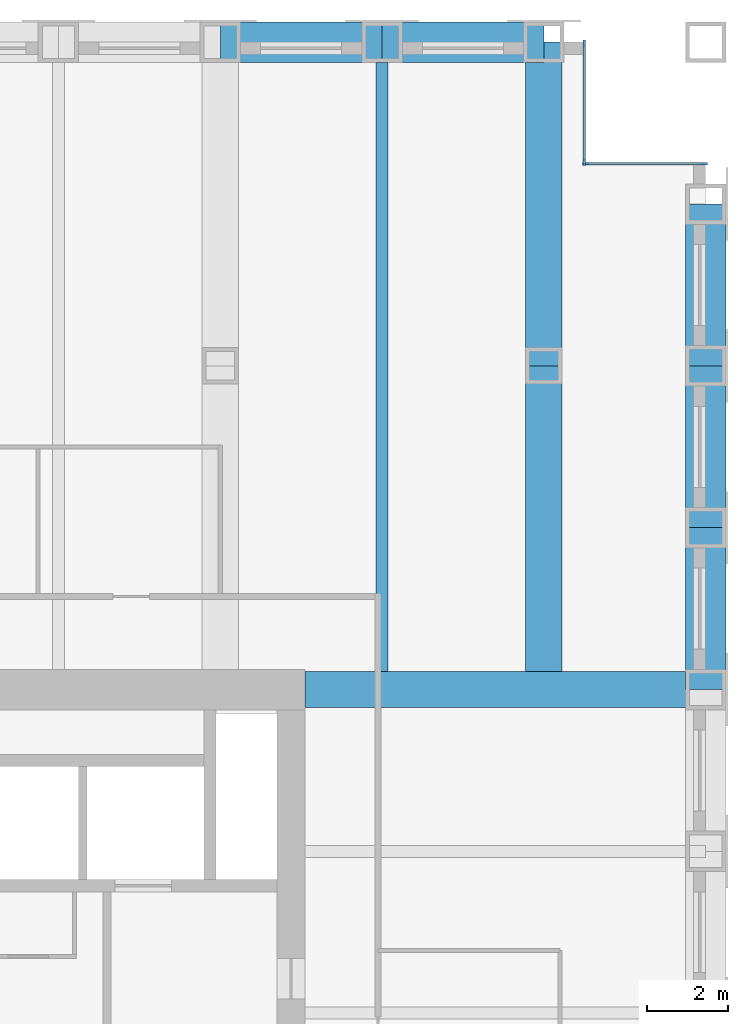
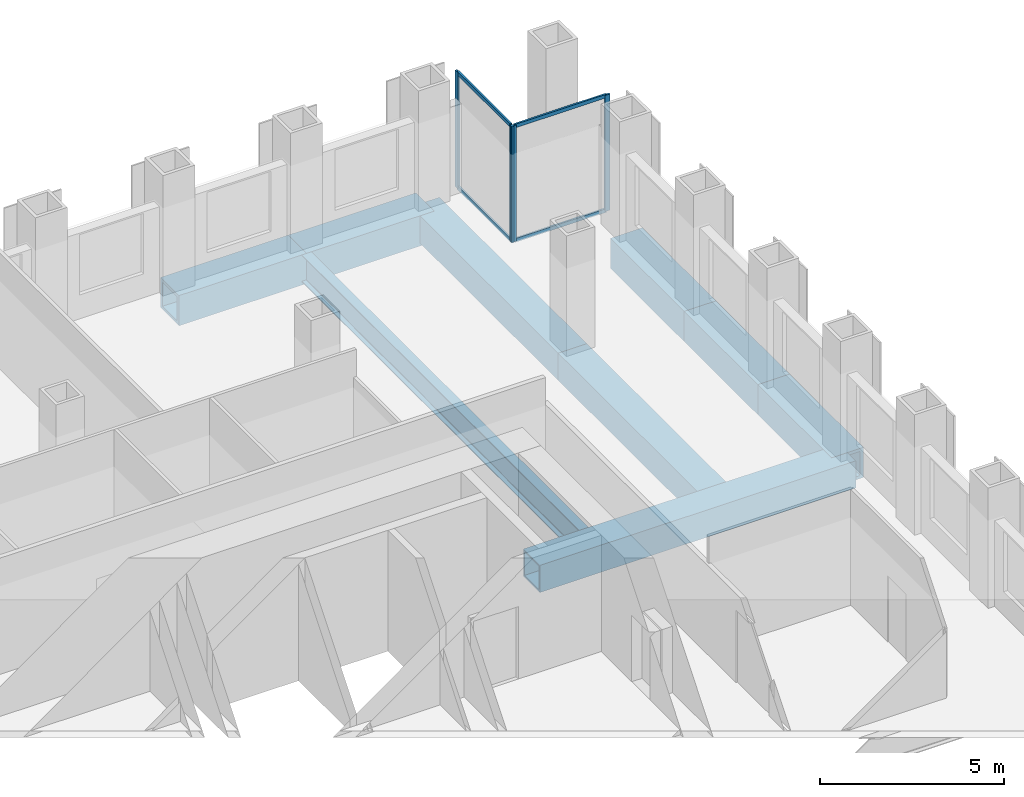
# One storey, part 6 of 12: 9 beams, 8 members, 2 elements without a shape of their own.
"""IFC4 building model written with IfcOpenShell, lengths in metres."""

from ifc_helpers import new_model, si_unit, direction, frame, origin, origin_2d, place, context, subcontext, project, spatial, rectangle, hollow_rectangle, i_section, extrude, material, material_profile, profile_set, type_object, element, aggregate, save


model = new_model("IFC4")

# Units and contexts
model_context = context("Model", 3, precision=1e-05, world=origin(), true_north=direction((0.0, 1.0)))
body_context = subcontext(model_context, "Body", "Model", "MODEL_VIEW")
ifc_project = project(units=[si_unit("LENGTHUNIT", "METRE"), si_unit("AREAUNIT", "SQUARE_METRE"), si_unit("VOLUMEUNIT", "CUBIC_METRE"), si_unit("PLANEANGLEUNIT", "RADIAN"), si_unit("MASSUNIT", "GRAM", prefix="KILO")], contexts=[model_context])

# Site, building, storey
site_placement = place(None, origin())
site = spatial("IfcSite", under=ifc_project, at=site_placement, CompositionType="ELEMENT")
building_placement = place(site_placement, origin())
building = spatial("IfcBuilding", under=site, at=building_placement, Name="Rimbunsela Tower", CompositionType="ELEMENT")
storey_placement = place(building_placement, frame((0.0, 0.0, 147.800048828125)))
storey = spatial("IfcBuildingStorey", under=building, at=storey_placement, Name="L35", CompositionType="ELEMENT", Elevation=147.800048828125)

# Beams
ifc_material_1 = material(Name="Steel BJ 55 (fy 410 MPa)", Category="steel")
ifc_material_profile_1 = material_profile(ifc_material_1, hollow_rectangle(XDim=1.0, YDim=1.0, WallThickness=0.10009765625, at=origin_2d()), Name="BOX 1000x1000x100")
ifc_profile_set_1 = profile_set([ifc_material_profile_1], Name="Steel BJ 55 (fy 410 MPa)")
beam_type_1 = type_object("IfcBeamType", Name="Beam BOX 1000x1000x100", PredefinedType="BEAM", material=ifc_profile_set_1)
for number, where, z_axis, x_axis, name in (
    (1, (34.0, 52.0, -0.650146484375), (1.0, 0.0, 0.0), (0.0, 1.0, 0.0), "Beam B3 L35"),
    (2, (38.0, 52.0, -0.650146484375), (1.0, 0.0, 0.0), (0.0, 1.0, 0.0), "Beam B3 L35"),
    (3, (46.0, 36.0, -0.650146484375), (0.0, 1.0, 0.0), (-1.0, 0.0, 0.0), "Beam B3 L35"),
    (4, (46.0, 40.0, -0.650146484375), (0.0, 1.0, 0.0), (-1.0, 0.0, 0.0), "Beam B3 L35"),
    (5, (46.0, 44.0, -0.650146484375), (0.0, 1.0, 0.0), (-1.0, 0.0, 0.0), "Beam B3 L35"),
):
    element("IfcBeam", number, at=place(storey_placement, frame(where, z_axis=z_axis, x_axis=x_axis)), inside=storey, type_object=beam_type_1, Name=name, PredefinedType="BEAM", context=body_context, shape_type="SweptSolid", body=[
        extrude(hollow_rectangle(XDim=1.0, YDim=1.0, WallThickness=0.10009765625, at=origin_2d()), origin(), (0.0, 0.0, 1.0), 4.0),
    ])
ifc_material_2 = material(Name="Steel BJ 55 (fy 410 MPa)", Category="steel")
ifc_material_profile_2 = material_profile(ifc_material_2, hollow_rectangle(XDim=0.89990234375, YDim=0.89990234375, WallThickness=0.06005859375, at=origin_2d()), Name="BOX 900x900x60")
ifc_profile_set_2 = profile_set([ifc_material_profile_2], Name="Steel BJ 55 (fy 410 MPa)")
beam_type_2 = type_object("IfcBeamType", Name="Beam BOX 900x900x60", PredefinedType="BEAM", material=ifc_profile_set_2)
beam_1_placement = place(storey_placement, frame((36.10009765625, 36.0, -0.60009765625), z_axis=(1.0, 0.0, 0.0), x_axis=(0.0, 1.0, 0.0)))
element("IfcBeam", 6, at=beam_1_placement, inside=storey, type_object=beam_type_2, Name="Beam B1 L35", PredefinedType="BEAM", context=body_context, shape_type="SweptSolid", body=[
    extrude(hollow_rectangle(XDim=0.89990234375, YDim=0.89990234375, WallThickness=0.06005859375, at=origin_2d()), origin(), (0.0, 0.0, 1.0), 9.89990234375),
])
beam_2_placement = place(storey_placement, frame((42.0, 36.449951171875, -0.60009765625), z_axis=(0.0, 1.0, 0.0), x_axis=(-1.0, 0.0, 0.0)))
element("IfcBeam", 7, at=beam_2_placement, inside=storey, type_object=beam_type_2, Name="Beam B1 L35", PredefinedType="BEAM", context=body_context, shape_type="SweptSolid", body=[
    extrude(hollow_rectangle(XDim=0.89990234375, YDim=0.89990234375, WallThickness=0.06005859375, at=origin_2d()), origin(), (0.0, 0.0, 1.0), 7.550048828125),
])
beam_3_placement = place(storey_placement, frame((42.0, 44.0, -0.60009765625), z_axis=(0.0, 1.0, 0.0), x_axis=(-1.0, 0.0, 0.0)))
element("IfcBeam", 8, at=beam_3_placement, inside=storey, type_object=beam_type_2, Name="Beam B1 L35", PredefinedType="BEAM", context=body_context, shape_type="SweptSolid", body=[
    extrude(hollow_rectangle(XDim=0.89990234375, YDim=0.89990234375, WallThickness=0.06005859375, at=origin_2d()), origin(), (0.0, 0.0, 1.0), 8.0),
])
ifc_material_3 = material(Name="Steel BJ 55 (fy 410 MPa)", Category="steel")
ifc_material_profile_3 = material_profile(ifc_material_3, i_section(OverallWidth=0.300048828125, OverallDepth=0.89990234375, WebThickness=0.01611328125, FlangeThickness=0.028076171875, FilletRadius=0.028076171875, at=origin_2d()), Name="H 900x300x16x28")
ifc_profile_set_3 = profile_set([ifc_material_profile_3], Name="Steel BJ 55 (fy 410 MPa)")
beam_type_3 = type_object("IfcBeamType", Name="Beam H 900x300x16x28", PredefinedType="BEAM", material=ifc_profile_set_3)
beam_4_placement = place(storey_placement, frame((38.0, 36.449951171875, -0.60009765625), z_axis=(0.0, 1.0, 0.0), x_axis=(-1.0, 0.0, 0.0)))
element("IfcBeam", 9, at=beam_4_placement, inside=storey, type_object=beam_type_3, Name="Beam B2 L35", PredefinedType="BEAM", context=body_context, shape_type="SweptSolid", body=[
    extrude(i_section(OverallWidth=0.300048828125, OverallDepth=0.89990234375, WebThickness=0.01611328125, FlangeThickness=0.028076171875, FilletRadius=0.028076171875, at=origin_2d()), origin(), (0.0, 0.0, 1.0), 15.550048828125),
])

# Curtain wall, members
ifc_material_4 = material(Name="Aluminium curtain wall", Category="aluminium")
curtain_wall_type = type_object("IfcCurtainWallType", Name="Corner glazing", PredefinedType="USERDEFINED", material=ifc_material_4)
curtain_wall_1_placement = place(storey_placement, origin())
curtain_wall_1 = element("IfcCurtainWall", 10, at=curtain_wall_1_placement, inside=storey, type_object=curtain_wall_type, Name="Corner glazing L35", ObjectType="CORNER GLAZING", PredefinedType="USERDEFINED")
ifc_material_5 = material(Name="Aluminium mullion", Category="aluminium")
ifc_material_profile_4 = material_profile(ifc_material_5, rectangle(XDim=0.06005859375, YDim=0.159912109375, at=origin_2d()), Name="Mullion 60x160")
ifc_profile_set_4 = profile_set([ifc_material_profile_4], Name="Aluminium mullion")
member_type_1 = type_object("IfcMemberType", Name="Curtain wall mullion 60x160", PredefinedType="MULLION", material=ifc_profile_set_4)
member_1_placement = place(storey_placement, frame((45.969970703125, 49.0, 0.0), z_axis=(0.0, 0.0, 1.0), x_axis=(0.0, -1.0, 0.0)))
member_1 = element("IfcMember", 11, at=member_1_placement, type_object=member_type_1, Name="CW5 mullion 1", PredefinedType="MULLION", context=body_context, shape_type="SweptSolid", body=[
    extrude(rectangle(XDim=0.06005859375, YDim=0.159912109375, at=origin_2d()), origin(), (0.0, 0.0, 1.0), 3.849853515625),
])
member_2_placement = place(storey_placement, frame((43.030029296875, 49.0, 0.0), z_axis=(0.0, 0.0, 1.0), x_axis=(0.0, -1.0, 0.0)))
member_2 = element("IfcMember", 12, at=member_2_placement, type_object=member_type_1, Name="CW5 mullion 2", PredefinedType="MULLION", context=body_context, shape_type="SweptSolid", body=[
    extrude(rectangle(XDim=0.06005859375, YDim=0.159912109375, at=origin_2d()), origin(), (0.0, 0.0, 1.0), 3.849853515625),
])

curtain_wall_2_placement = place(storey_placement, origin())
curtain_wall_2 = element("IfcCurtainWall", 13, at=curtain_wall_2_placement, inside=storey, type_object=curtain_wall_type, Name="Corner glazing L35", ObjectType="CORNER GLAZING", PredefinedType="USERDEFINED")
member_3_placement = place(storey_placement, frame((43.0, 49.030029296875, 0.0), z_axis=(0.0, 0.0, 1.0), x_axis=(-1.0, 0.0, 0.0)))
member_3 = element("IfcMember", 14, at=member_3_placement, type_object=member_type_1, Name="CW5 mullion 1", PredefinedType="MULLION", context=body_context, shape_type="SweptSolid", body=[
    extrude(rectangle(XDim=0.06005859375, YDim=0.159912109375, at=origin_2d()), origin(), (0.0, 0.0, 1.0), 3.849853515625),
])
member_4_placement = place(storey_placement, frame((43.0, 51.969970703125, 0.0), z_axis=(0.0, 0.0, 1.0), x_axis=(-1.0, 0.0, 0.0)))
member_4 = element("IfcMember", 15, at=member_4_placement, type_object=member_type_1, Name="CW5 mullion 2", PredefinedType="MULLION", context=body_context, shape_type="SweptSolid", body=[
    extrude(rectangle(XDim=0.06005859375, YDim=0.159912109375, at=origin_2d()), origin(), (0.0, 0.0, 1.0), 3.849853515625),
])

# Member
ifc_material_6 = material(Name="Aluminium transom", Category="aluminium")
ifc_material_profile_5 = material_profile(ifc_material_6, rectangle(XDim=0.06005859375, YDim=0.1201171875, at=origin_2d()), Name="Transom 60x120")
ifc_profile_set_5 = profile_set([ifc_material_profile_5], Name="Aluminium transom")
member_type_2 = type_object("IfcMemberType", Name="Curtain wall transom 60x120", PredefinedType="USERDEFINED", material=ifc_profile_set_5)
member_5_placement = place(storey_placement, frame((45.93994140625, 49.0, 0.030029296875), z_axis=(-1.0, 0.0, 0.0), x_axis=(0.0, -1.0, 0.0)))
member_5 = element("IfcMember", 16, at=member_5_placement, type_object=member_type_2, Name="CW5 transom 1.1", ObjectType="TRANSOM", PredefinedType="USERDEFINED", context=body_context, shape_type="SweptSolid", body=[
    extrude(rectangle(XDim=0.06005859375, YDim=0.1201171875, at=origin_2d()), origin(), (0.0, 0.0, 1.0), 2.8798828125),
])

member_6_placement = place(storey_placement, frame((45.93994140625, 49.0, 3.820068359375), z_axis=(-1.0, 0.0, 0.0), x_axis=(0.0, -1.0, 0.0)))
member_6 = element("IfcMember", 17, at=member_6_placement, type_object=member_type_2, Name="CW5 transom 1.2", ObjectType="TRANSOM", PredefinedType="USERDEFINED", context=body_context, shape_type="SweptSolid", body=[
    extrude(rectangle(XDim=0.06005859375, YDim=0.1201171875, at=origin_2d()), origin(), (0.0, 0.0, 1.0), 2.8798828125),
])

aggregate(curtain_wall_1, [member_1, member_2, member_5, member_6])

member_7_placement = place(storey_placement, frame((43.0, 49.06005859375, 0.030029296875), z_axis=(0.0, 1.0, 0.0), x_axis=(-1.0, 0.0, 0.0)))
member_7 = element("IfcMember", 18, at=member_7_placement, type_object=member_type_2, Name="CW5 transom 1.1", ObjectType="TRANSOM", PredefinedType="USERDEFINED", context=body_context, shape_type="SweptSolid", body=[
    extrude(rectangle(XDim=0.06005859375, YDim=0.1201171875, at=origin_2d()), origin(), (0.0, 0.0, 1.0), 2.8798828125),
])

member_8_placement = place(storey_placement, frame((43.0, 49.06005859375, 3.820068359375), z_axis=(0.0, 1.0, 0.0), x_axis=(-1.0, 0.0, 0.0)))
member_8 = element("IfcMember", 19, at=member_8_placement, type_object=member_type_2, Name="CW5 transom 1.2", ObjectType="TRANSOM", PredefinedType="USERDEFINED", context=body_context, shape_type="SweptSolid", body=[
    extrude(rectangle(XDim=0.06005859375, YDim=0.1201171875, at=origin_2d()), origin(), (0.0, 0.0, 1.0), 2.8798828125),
])

aggregate(curtain_wall_2, [member_3, member_4, member_7, member_8])

save(model, "model.ifc")
